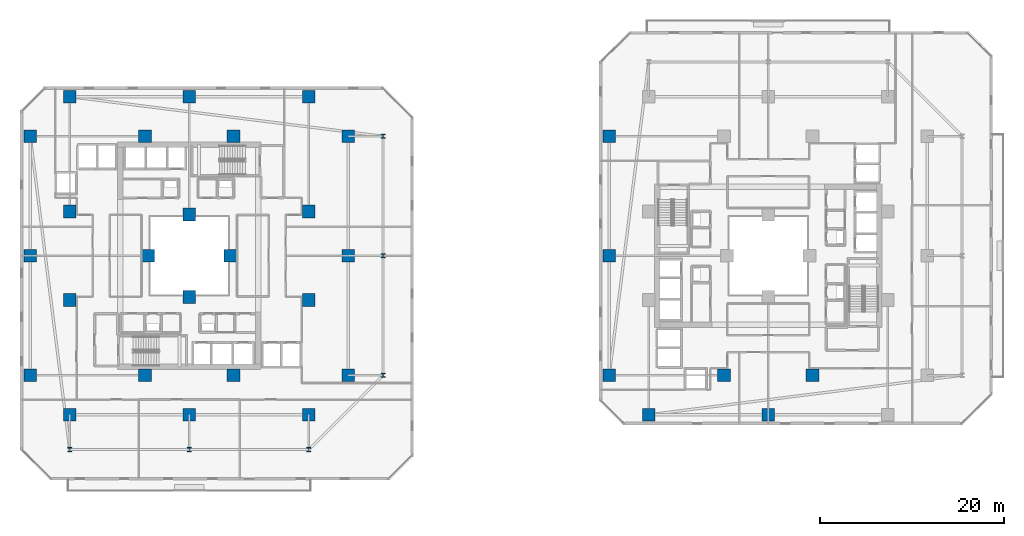
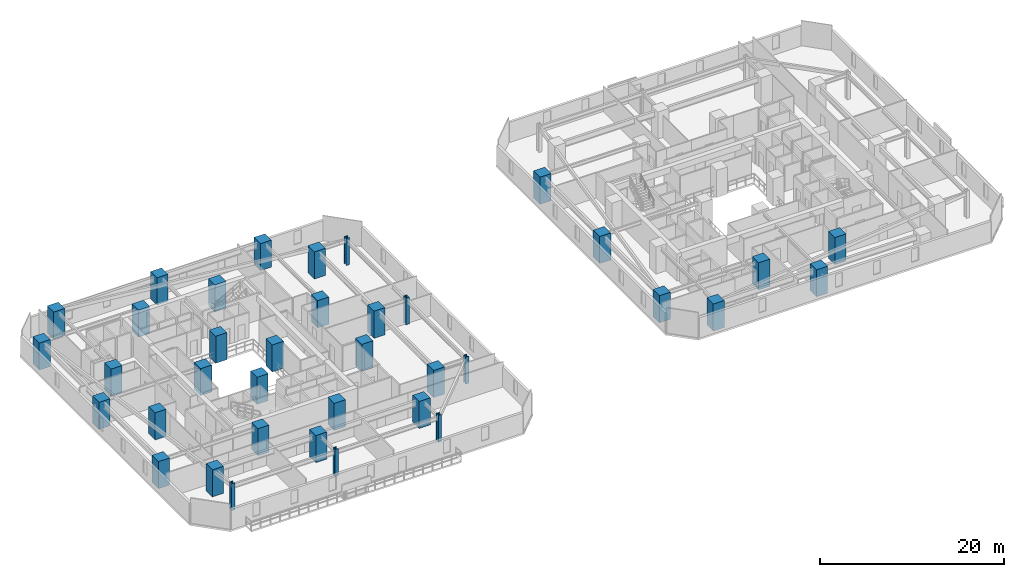
# One storey, part 1 of 34: 37 columns.
"""IFC4 building model written with IfcOpenShell, lengths in metres."""

from ifc_helpers import new_model, si_unit, direction, frame, origin, origin_2d, place, context, subcontext, project, spatial, rectangle, i_section, extrude, material, material_profile, profile_set, type_object, element, save


model = new_model("IFC4")

# Units and contexts
model_context = context("Model", 3, precision=1e-05, world=origin(), true_north=direction((0.0, 1.0)))
body_context = subcontext(model_context, "Body", "Model", "MODEL_VIEW")
ifc_project = project(units=[si_unit("LENGTHUNIT", "METRE"), si_unit("AREAUNIT", "SQUARE_METRE"), si_unit("VOLUMEUNIT", "CUBIC_METRE"), si_unit("PLANEANGLEUNIT", "RADIAN"), si_unit("MASSUNIT", "GRAM", prefix="KILO")], contexts=[model_context])

# Site, building, storey
site_placement = place(None, origin())
site = spatial("IfcSite", under=ifc_project, at=site_placement, CompositionType="ELEMENT")
building_placement = place(site_placement, origin())
building = spatial("IfcBuilding", under=site, at=building_placement, Name="Thornwick Lancets Civic Towers", CompositionType="ELEMENT")
storey_placement = place(building_placement, frame((0.0, 0.0, 60.89990234375)))
storey = spatial("IfcBuildingStorey", under=building, at=storey_placement, Name="L15", CompositionType="ELEMENT", Elevation=60.89990234375)

# Columns
ifc_material_1 = material(Name="Concrete C60/75", Category="concrete")
ifc_material_profile_1 = material_profile(ifc_material_1, rectangle(XDim=1.39990234375, YDim=1.39990234375, at=origin_2d()), Name="RC 1400x1400")
ifc_profile_set_1 = profile_set([ifc_material_profile_1], Name="Concrete C60/75")
column_type_1 = type_object("IfcColumnType", Name="COL_RC_1400", PredefinedType="COLUMN", material=ifc_profile_set_1)
for number, where, z_axis, x_axis, name in (
    (1, (12.5, 9.699951171875, 0.0), (0.0, 0.0, 1.0), (1.0, 0.0, 0.0), "L15 Spine Mega-Column A01"),
    (2, (25.5, 9.699951171875, 0.0), (0.0, 0.0, 1.0), (1.0, 0.0, 0.0), "L15 Spine Mega-Column A02"),
    (3, (38.5, 9.699951171875, 0.0), (0.0, 0.0, 1.0), (1.0, 0.0, 0.0), "L15 Spine Mega-Column A03"),
    (4, (42.800048828125, 14.0, 0.0), (0.0, 0.0, 1.0), (1.0, 0.0, 0.0), "L15 Spine Mega-Column A04"),
    (5, (42.800048828125, 27.0, 0.0), (0.0, 0.0, 1.0), (1.0, 0.0, 0.0), "L15 Spine Mega-Column A05"),
    (6, (42.800048828125, 40.0, 0.0), (0.0, 0.0, 1.0), (1.0, 0.0, 0.0), "L15 Spine Mega-Column A06"),
    (7, (12.5, 44.300048828125, 0.0), (0.0, 0.0, 1.0), (1.0, 0.0, 0.0), "L15 Spine Mega-Column A07"),
    (8, (25.5, 44.300048828125, 0.0), (0.0, 0.0, 1.0), (1.0, 0.0, 0.0), "L15 Spine Mega-Column A08"),
    (9, (38.5, 44.300048828125, 0.0), (0.0, 0.0, 1.0), (1.0, 0.0, 0.0), "L15 Spine Mega-Column A09"),
    (10, (8.199951171875, 14.0, 0.0), (0.0, 0.0, 1.0), (1.0, 0.0, 0.0), "L15 Spine Mega-Column A10"),
    (11, (8.199951171875, 27.0, 0.0), (0.0, 0.0, 1.0), (1.0, 0.0, 0.0), "L15 Spine Mega-Column A11"),
    (12, (8.199951171875, 40.0, 0.0), (0.0, 0.0, 1.0), (1.0, 0.0, 0.0), "L15 Spine Mega-Column A12"),
    (13, (12.5, 22.199951171875, 0.0), (0.0, 0.0, 1.0), (1.0, 0.0, 0.0), "L15 Spine Mega-Column A13"),
    (14, (38.5, 22.199951171875, 0.0), (0.0, 0.0, 1.0), (1.0, 0.0, 0.0), "L15 Spine Mega-Column A14"),
    (15, (12.5, 31.800048828125, 0.0), (0.0, 0.0, 1.0), (1.0, 0.0, 0.0), "L15 Spine Mega-Column A15"),
    (16, (38.5, 31.800048828125, 0.0), (0.0, 0.0, 1.0), (1.0, 0.0, 0.0), "L15 Spine Mega-Column A16"),
    (17, (20.699951171875, 14.0, 0.0), (0.0, 0.0, 1.0), (1.0, 0.0, 0.0), "L15 Spine Mega-Column A17"),
    (18, (30.300048828125, 14.0, 0.0), (0.0, 0.0, 1.0), (1.0, 0.0, 0.0), "L15 Spine Mega-Column A18"),
    (19, (20.699951171875, 40.0, 0.0), (0.0, 0.0, 1.0), (1.0, 0.0, 0.0), "L15 Spine Mega-Column A19"),
    (20, (30.300048828125, 40.0, 0.0), (0.0, 0.0, 1.0), (1.0, 0.0, 0.0), "L15 Spine Mega-Column A20"),
    (21, (25.5, 22.5, 0.0), (0.0, 0.0, 1.0), (1.0, 0.0, 0.0), "L15 Spine Mega-Column A21"),
    (22, (25.5, 31.5, 0.0), (0.0, 0.0, 1.0), (1.0, 0.0, 0.0), "L15 Spine Mega-Column A22"),
    (23, (21.0, 27.0, 0.0), (0.0, 0.0, 1.0), (1.0, 0.0, 0.0), "L15 Spine Mega-Column A23"),
    (24, (30.0, 27.0, 0.0), (0.0, 0.0, 1.0), (1.0, 0.0, 0.0), "L15 Spine Mega-Column A24"),
    (25, (71.199951171875, 14.0, 0.0), (0.0, 0.0, 1.0), (1.0, 0.0, 0.0), "L15 Spine Mega-Column B07"),
    (26, (71.199951171875, 27.0, 0.0), (0.0, 0.0, 1.0), (1.0, 0.0, 0.0), "L15 Spine Mega-Column B08"),
    (27, (71.199951171875, 40.0, 0.0), (0.0, 0.0, 1.0), (1.0, 0.0, 0.0), "L15 Spine Mega-Column B09"),
    (28, (88.5, 9.699951171875, 0.0), (0.0, 0.0, 1.0), (1.0, 0.0, 0.0), "L15 Spine Mega-Column B11"),
    (29, (75.5, 9.699951171875, 0.0), (0.0, 0.0, 1.0), (1.0, 0.0, 0.0), "L15 Spine Mega-Column B12"),
    (30, (93.300048828125, 14.0, 0.0), (0.0, 0.0, 1.0), (1.0, 0.0, 0.0), "L15 Spine Mega-Column B13"),
    (31, (83.699951171875, 14.0, 0.0), (0.0, 0.0, 1.0), (1.0, 0.0, 0.0), "L15 Spine Mega-Column B15"),
):
    element("IfcColumn", number, at=place(storey_placement, frame(where, z_axis=z_axis, x_axis=x_axis)), inside=storey, type_object=column_type_1, Name=name, PredefinedType="COLUMN", context=body_context, shape_type="SweptSolid", body=[
        extrude(rectangle(XDim=1.39990234375, YDim=1.39990234375, at=origin_2d()), origin(), (0.0, 0.0, 1.0), 3.60009765625),
    ])
ifc_material_2 = material(Name="Steel S460M", Category="steel")
ifc_material_profile_2 = material_profile(ifc_material_2, i_section(OverallWidth=0.424072265625, OverallDepth=0.474609375, WebThickness=0.047607421875, FlangeThickness=0.076904296875, FilletRadius=0.01513671875, at=origin_2d()), Name="UKC 356x406x634")
ifc_profile_set_2 = profile_set([ifc_material_profile_2], Name="Steel S460M")
column_type_2 = type_object("IfcColumnType", Name="COL_UKC_634", PredefinedType="COLUMN", material=ifc_profile_set_2)
for number, where, z_axis, x_axis, name in (
    (32, (12.5, 5.89990234375, 0.0), (0.0, 0.0, 1.0), (1.0, 0.0, 0.0), "L15 Block Perimeter Column A01"),
    (33, (25.5, 5.89990234375, 0.0), (0.0, 0.0, 1.0), (1.0, 0.0, 0.0), "L15 Block Perimeter Column A02"),
    (34, (38.5, 5.89990234375, 0.0), (0.0, 0.0, 1.0), (1.0, 0.0, 0.0), "L15 Block Perimeter Column A03"),
    (35, (46.60009765625, 14.0, 0.0), (0.0, 0.0, 1.0), (1.0, 0.0, 0.0), "L15 Block Perimeter Column A04"),
    (36, (46.60009765625, 27.0, 0.0), (0.0, 0.0, 1.0), (1.0, 0.0, 0.0), "L15 Block Perimeter Column A05"),
    (37, (46.60009765625, 40.0, 0.0), (0.0, 0.0, 1.0), (1.0, 0.0, 0.0), "L15 Block Perimeter Column A06"),
):
    element("IfcColumn", number, at=place(storey_placement, frame(where, z_axis=z_axis, x_axis=x_axis)), inside=storey, type_object=column_type_2, Name=name, PredefinedType="COLUMN", context=body_context, shape_type="SweptSolid", body=[
        extrude(i_section(OverallWidth=0.424072265625, OverallDepth=0.474609375, WebThickness=0.047607421875, FlangeThickness=0.076904296875, FilletRadius=0.01513671875, at=origin_2d()), origin(), (0.0, 0.0, 1.0), 3.60009765625),
    ])

save(model, "model.ifc")
